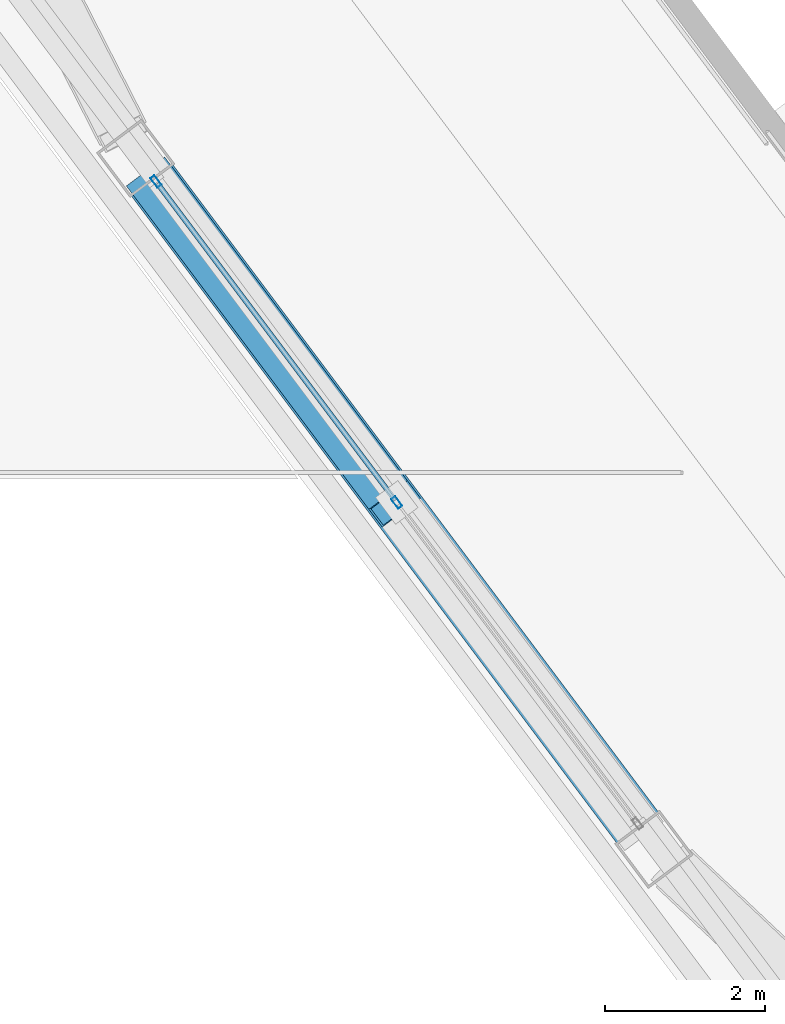
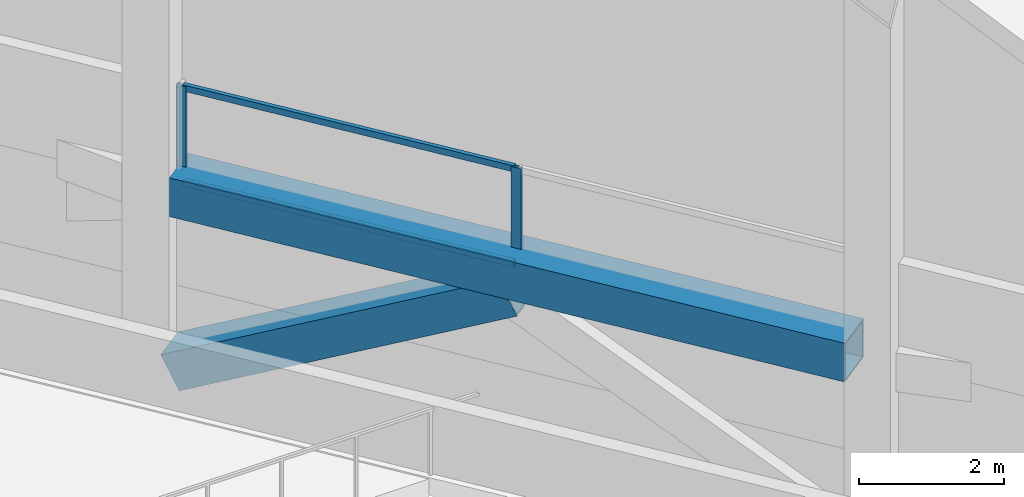
# One storey, part 17 of 37: 5 members, 1 beam, 1 element without a shape of its own.
"""IFC4 building model written with IfcOpenShell, lengths in metres."""

from ifc_helpers import new_model, si_unit, direction, frame, origin, origin_2d, place, context, subcontext, project, spatial, hollow_rectangle, extrude, material, material_profile, profile_set, type_object, element, aggregate, save


model = new_model("IFC4")

# Units and contexts
model_context = context("Model", 3, precision=1e-05, world=origin(), true_north=direction((0.0, 1.0)))
body_context = subcontext(model_context, "Body", "Model", "MODEL_VIEW")
ifc_project = project(units=[si_unit("LENGTHUNIT", "METRE"), si_unit("AREAUNIT", "SQUARE_METRE"), si_unit("VOLUMEUNIT", "CUBIC_METRE"), si_unit("PLANEANGLEUNIT", "RADIAN"), si_unit("MASSUNIT", "GRAM", prefix="KILO")], contexts=[model_context])

# Site, building, storey
site_placement = place(None, origin())
site = spatial("IfcSite", under=ifc_project, at=site_placement, CompositionType="ELEMENT")
building_placement = place(site_placement, origin())
building = spatial("IfcBuilding", under=site, at=building_placement, Name="Tashvorn Skyway Center", CompositionType="ELEMENT")
storey_placement = place(building_placement, frame((0.0, 0.0, 263.39990234375)))
storey = spatial("IfcBuildingStorey", under=building, at=storey_placement, Name="L71", CompositionType="ELEMENT", Elevation=263.39990234375)

# Beam
ifc_material_1 = material(Name="Steel ASTM A572 Grade 50", Category="steel")
ifc_material_profile_1 = material_profile(ifc_material_1, hollow_rectangle(XDim=0.64990234375, YDim=0.64990234375, WallThickness=0.02490234375, at=origin_2d()), Name="BOX650x650x25")
ifc_profile_set_1 = profile_set([ifc_material_profile_1], Name="Steel ASTM A572 Grade 50")
beam_type = type_object("IfcBeamType", Name="BM-BEAM-BOX650x650x25", PredefinedType="BEAM", material=ifc_profile_set_1)
beam_placement = place(storey_placement, frame((99.886962890625, 27.73388671875, 3.316650390625), z_axis=(0.6, -0.8, 0.0), x_axis=(0.8, 0.6, 0.0)))
element("IfcBeam", 1, at=beam_placement, inside=storey, type_object=beam_type, Name="CROWN FRAME Tower 2 Lower-Tier Ring Beam 11", PredefinedType="BEAM", context=body_context, shape_type="SweptSolid", body=[
    extrude(hollow_rectangle(XDim=0.64990234375, YDim=0.64990234375, WallThickness=0.02490234375, at=origin_2d()), origin(), (0.0, 0.0, 1.0), 10.10986328125),
])

# Curtain wall, members
ifc_material_2 = material(Name="Thermally broken bronze-anodized aluminium 6063-T6", Category="aluminium")
curtain_wall_type = type_object("IfcCurtainWallType", Name="CW-CW-SKY", PredefinedType="NOTDEFINED", material=ifc_material_2)
curtain_wall_placement = place(storey_placement, origin())
curtain_wall = element("IfcCurtainWall", 2, at=curtain_wall_placement, inside=storey, type_object=curtain_wall_type, Name="CROWN Lantern Fritted Curtain Wall T2 W-3", PredefinedType="NOTDEFINED")
ifc_material_profile_2 = material_profile(ifc_material_2, hollow_rectangle(XDim=0.06494140625, YDim=0.14990234375, WallThickness=0.00390625, at=origin_2d()), Name="ALU-MULL-65x150")
ifc_profile_set_2 = profile_set([ifc_material_profile_2], Name="Thermally broken bronze-anodized aluminium 6063-T6")
member_type_1 = type_object("IfcMemberType", Name="CWM-CW-SKY", PredefinedType="MULLION", material=ifc_profile_set_2)
member_1_placement = place(storey_placement, frame((102.944091796875, 23.7080078125, 3.330078125), z_axis=(0.0, 0.0, 1.0), x_axis=(-0.799999999998, -0.600000000002, 0.0)))
member_1 = element("IfcMember", 3, at=member_1_placement, type_object=member_type_1, Name="CW-SKY mullion 2", PredefinedType="MULLION", context=body_context, shape_type="SweptSolid", body=[
    extrude(hollow_rectangle(XDim=0.06494140625, YDim=0.14990234375, WallThickness=0.00390625, at=origin_2d()), origin(), (0.0, 0.0, 1.0), 1.6650390625),
])
member_2_placement = place(storey_placement, frame((99.93359375, 27.721923828125, 3.330078125), z_axis=(0.0, 0.0, 1.0), x_axis=(-0.799999999998, -0.600000000002, 0.0)))
member_2 = element("IfcMember", 4, at=member_2_placement, type_object=member_type_1, Name="CW-SKY mullion 3", PredefinedType="MULLION", context=body_context, shape_type="SweptSolid", body=[
    extrude(hollow_rectangle(XDim=0.06494140625, YDim=0.14990234375, WallThickness=0.00390625, at=origin_2d()), origin(), (0.0, 0.0, 1.0), 1.6650390625),
])
ifc_material_profile_3 = material_profile(ifc_material_2, hollow_rectangle(XDim=0.06494140625, YDim=0.10498046875, WallThickness=0.00390625, at=origin_2d()), Name="ALU-TRAN-65x105")
ifc_profile_set_3 = profile_set([ifc_material_profile_3], Name="Thermally broken bronze-anodized aluminium 6063-T6")
member_type_2 = type_object("IfcMemberType", Name="CWT-CW-SKY", PredefinedType="USERDEFINED", material=ifc_profile_set_3)
member_3_placement = place(storey_placement, frame((102.924560546875, 23.73388671875, 3.362548828125), z_axis=(-0.600007887028, 0.799994084668, 0.0), x_axis=(-0.799994084668, -0.600007887028, 0.0)))
member_3 = element("IfcMember", 5, at=member_3_placement, type_object=member_type_2, Name="CW-SKY transom 2.1", ObjectType="TRANSOM", PredefinedType="USERDEFINED", context=body_context, shape_type="SweptSolid", body=[
    extrude(hollow_rectangle(XDim=0.06494140625, YDim=0.10498046875, WallThickness=0.00390625, at=origin_2d()), origin(), (0.0, 0.0, 1.0), 4.95263671875),
])
member_4_placement = place(storey_placement, frame((102.924560546875, 23.73388671875, 4.962646484375), z_axis=(-0.600007887028, 0.799994084668, 0.0), x_axis=(-0.799994084668, -0.600007887028, 0.0)))
member_4 = element("IfcMember", 6, at=member_4_placement, type_object=member_type_2, Name="CW-SKY transom 2.2", ObjectType="TRANSOM", PredefinedType="USERDEFINED", context=body_context, shape_type="SweptSolid", body=[
    extrude(hollow_rectangle(XDim=0.06494140625, YDim=0.10498046875, WallThickness=0.00390625, at=origin_2d()), origin(), (0.0, 0.0, 1.0), 4.95263671875),
])
aggregate(curtain_wall, [member_1, member_2, member_3, member_4])

# Member
ifc_material_profile_4 = material_profile(ifc_material_1, hollow_rectangle(XDim=0.60009765625, YDim=0.60009765625, WallThickness=0.02490234375, at=origin_2d()), Name="BOX600x600x25")
ifc_profile_set_4 = profile_set([ifc_material_profile_4], Name="Steel ASTM A572 Grade 50")
member_type_3 = type_object("IfcMemberType", Name="MEM-CF-BRC-600", PredefinedType="BRACE", material=ifc_profile_set_4)
member_5_placement = place(storey_placement, frame((99.886962890625, 27.73388671875, 0.35009765625), z_axis=(0.531546147001, -0.708728196001, 0.463856699641), x_axis=(0.8, 0.6, 0.0)))
element("IfcMember", 7, at=member_5_placement, inside=storey, type_object=member_type_3, Name="CROWN FRAME Tower 2 Tier-1 Chevron Brace 11A", PredefinedType="BRACE", context=body_context, shape_type="SweptSolid", body=[
    extrude(hollow_rectangle(XDim=0.60009765625, YDim=0.60009765625, WallThickness=0.02490234375, at=origin_2d()), origin(), (0.0, 0.0, 1.0), 5.705810546875),
])

save(model, "model.ifc")
